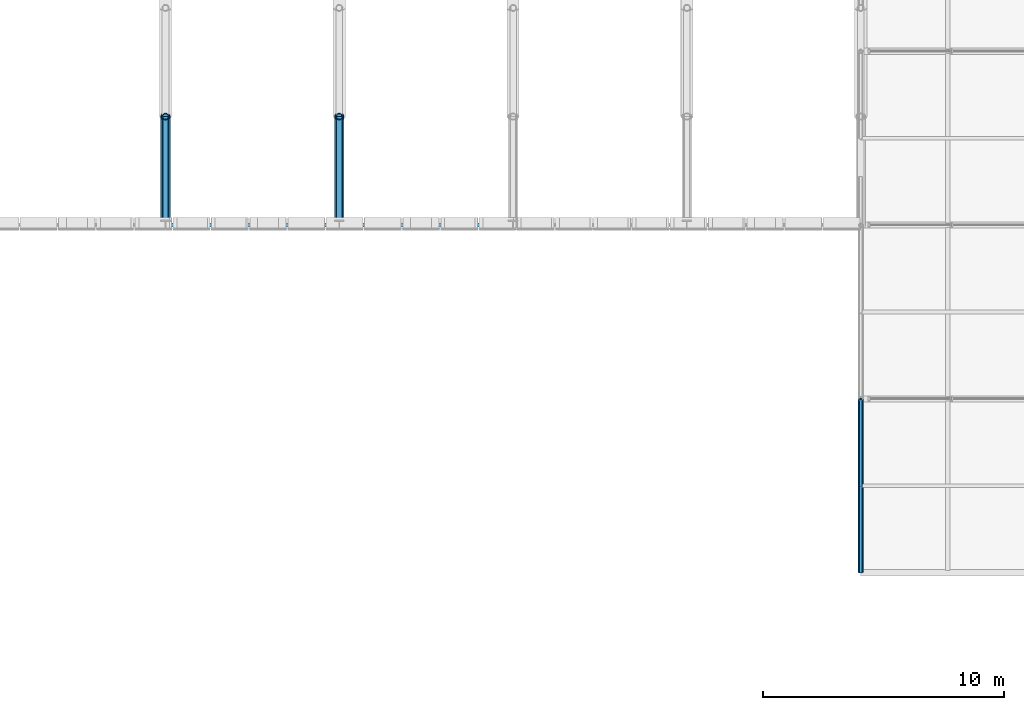
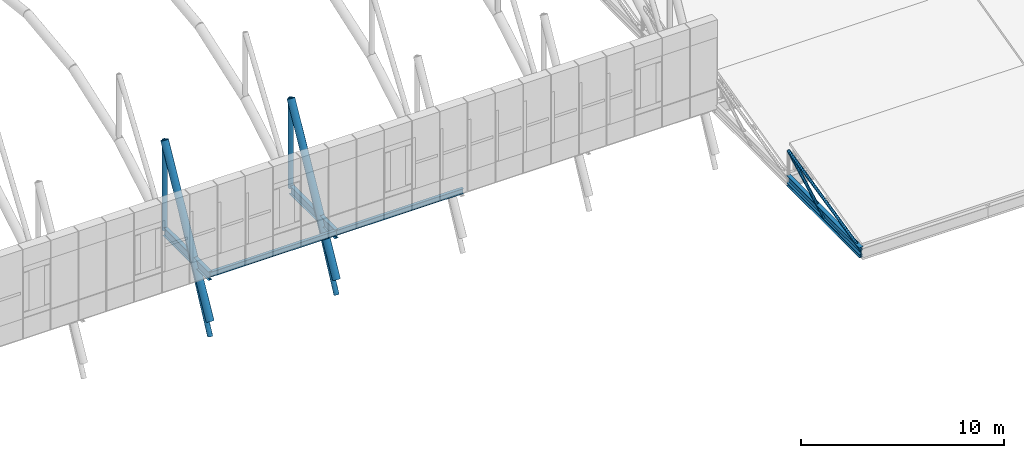
# One storey, part 25 of 144: 9 members, 5 beams.
"""IFC4 building model written with IfcOpenShell, lengths in metres."""

import ifcopenshell
import ifcopenshell.guid

model = None  # the IFC model being written
_history = None  # IfcOwnerHistory: only IFC2X3 demands one
_inside = {}  # id of a spatial element -> (the spatial element, [elements in it])
_under = {}  # id of a project, library or spatial element -> (it, [spatial elements below it])
_declared = {}  # id of a project -> (the project, [libraries it declares])
_typed = {}  # id of a type object -> (the type object, [elements of that type])
_made_of = {}  # id of a material, layer set ... -> (it, [elements and type objects made of it])


def new_model(schema):
    """Start an empty IFC model of exactly this schema.

    Asked for "IFC4X3", IfcOpenShell would pick the latest addendum, in which some entities
    have other attributes; the version numbers below select the first issue.
    IFC2X3 requires an IfcOwnerHistory on every rooted entity: one is made here for all.
    """
    global model, _history
    if schema == "IFC4X3":
        model = ifcopenshell.file(schema_version=(4, 3, 0, 0))
    else:
        model = ifcopenshell.file(schema=schema)
    _inside.clear()
    _under.clear()
    _declared.clear()
    _typed.clear()
    _made_of.clear()
    _history = None
    if model.schema == "IFC2X3":
        org = make("IfcOrganization", Name="unknown")
        user = make(
            "IfcPersonAndOrganization",
            ThePerson=make("IfcPerson", FamilyName="unknown"),
            TheOrganization=org,
        )
        app = make(
            "IfcApplication",
            ApplicationDeveloper=org,
            Version="unknown",
            ApplicationFullName="unknown",
            ApplicationIdentifier="unknown",
        )
        _history = make(
            "IfcOwnerHistory",
            OwningUser=user,
            OwningApplication=app,
            ChangeAction="ADDED",
            CreationDate=0,
        )
    return model


def make(cls, **values):
    """One entity of the class cls with the attributes given. An attribute that is None is left unset."""
    return model.create_entity(
        cls, **{name: value for name, value in values.items() if value is not None}
    )


def rooted(cls, **values):
    """An entity with a GlobalId (a new one), such as an element, a storey or a relation."""
    return make(cls, GlobalId=ifcopenshell.guid.new(), OwnerHistory=_history, **values)


def si_unit(unit_type, name, prefix=None):
    """IfcSIUnit, for example si_unit("LENGTHUNIT", "METRE", prefix="MILLI")."""
    return make("IfcSIUnit", UnitType=unit_type, Prefix=prefix, Name=name)


def assignment(units):
    """IfcUnitAssignment: the units of a project."""
    return None if units is None else make("IfcUnitAssignment", Units=units)


def point(xyz):
    """IfcCartesianPoint."""
    return None if xyz is None else make("IfcCartesianPoint", Coordinates=xyz)


def direction(xyz):
    """IfcDirection."""
    return None if xyz is None else make("IfcDirection", DirectionRatios=xyz)


def frame(location, z_axis=None, x_axis=None):
    """IfcAxis2Placement3D, a coordinate frame: its origin and axes. An axis left out is left unset."""
    return make(
        "IfcAxis2Placement3D",
        Location=point(location),
        Axis=direction(z_axis),
        RefDirection=direction(x_axis),
    )


def frame_2d(location, x_axis=None):
    """IfcAxis2Placement2D, a coordinate frame in the plane: its origin and x axis."""
    return make(
        "IfcAxis2Placement2D", Location=point(location), RefDirection=direction(x_axis)
    )


def origin():
    """The frame at (0, 0, 0) with its axes left unset."""
    return frame((0.0, 0.0, 0.0))


def origin_2d():
    """The frame at (0, 0) in the plane with its x axis left unset."""
    return frame_2d((0.0, 0.0))


def place(relative_to, where):
    """IfcLocalPlacement: puts the frame where relative to a parent placement (None: the world)."""
    return make(
        "IfcLocalPlacement", PlacementRelTo=relative_to, RelativePlacement=where
    )


def context(
    kind, dimensions, precision=None, world=None, true_north=None, identifier=None
):
    """IfcGeometricRepresentationContext, for example the 3D "Model" context."""
    return make(
        "IfcGeometricRepresentationContext",
        ContextIdentifier=identifier,
        ContextType=kind,
        CoordinateSpaceDimension=dimensions,
        Precision=precision,
        WorldCoordinateSystem=world,
        TrueNorth=true_north,
    )


def subcontext(parent, identifier, kind, view, scale=None):
    """IfcGeometricRepresentationSubContext, for example "Body" below "Model"."""
    return make(
        "IfcGeometricRepresentationSubContext",
        ContextIdentifier=identifier,
        ContextType=kind,
        ParentContext=parent,
        TargetScale=scale,
        TargetView=view,
    )


def project(units=None, contexts=None):
    """IfcProject with its units and contexts."""
    return rooted(
        "IfcProject",
        Name="project",
        RepresentationContexts=contexts,
        UnitsInContext=assignment(units),
    )


def spatial(cls, under=None, at=None, **own):
    """A site, building, storey or space (cls), placed at a placement, below another one or the project."""
    s = rooted(cls, ObjectPlacement=at, **own)
    if under is not None:
        _under.setdefault(under.id(), (under, []))[1].append(s)
    return s


def profile(cls, at=None, kind="AREA", **sizes):
    """A parametric profile (cls). Its sizes go by their IFC names, for example OverallWidth=200.0."""
    return make(cls, ProfileType=kind, Position=at, **sizes)


def hollow_circle(**sizes):
    """IfcCircleHollowProfileDef."""
    return profile("IfcCircleHollowProfileDef", **sizes)


def i_section(**sizes):
    """IfcIShapeProfileDef."""
    return profile("IfcIShapeProfileDef", **sizes)


def extrude(swept, where, along, depth):
    """IfcExtrudedAreaSolid: the profile swept, set in the frame where, extruded along a direction by depth."""
    return make(
        "IfcExtrudedAreaSolid",
        SweptArea=swept,
        Position=where,
        ExtrudedDirection=direction(along),
        Depth=depth,
    )


def shape(context_of_items, identifier, shape_type, items):
    """IfcShapeRepresentation: the items that make up one representation, for example the "Body"."""
    return make(
        "IfcShapeRepresentation",
        ContextOfItems=context_of_items,
        RepresentationIdentifier=identifier,
        RepresentationType=shape_type,
        Items=items,
    )


def material(Name=None, Category=None):
    """IfcMaterial."""
    return make("IfcMaterial", Name=Name, Category=Category)


def material_profile(
    of_material, cross_section, Name=None, Category=None, Priority=None
):
    """IfcMaterialProfile: a cross section and its material."""
    return make(
        "IfcMaterialProfile",
        Name=Name,
        Material=of_material,
        Profile=cross_section,
        Priority=Priority,
        Category=Category,
    )


def profile_set(profiles, Name=None, composite=None):
    """IfcMaterialProfileSet."""
    return make(
        "IfcMaterialProfileSet",
        Name=Name,
        MaterialProfiles=profiles,
        CompositeProfile=composite,
    )


def made_of(thing, what):
    """Note that an element or type object is made of a material, layer set ...; save() writes the relation."""
    if what is not None:
        _made_of.setdefault(what.id(), (what, []))[1].append(thing)
    return thing


def type_object(cls, material=None, **own):
    """A type object (cls), such as IfcWallType, which elements share."""
    return made_of(rooted(cls, **own), material)


def element(
    cls,
    number,
    at=None,
    inside=None,
    cuts=None,
    type_object=None,
    material=None,
    context=None,
    identifier="Body",
    shape_type=None,
    held_by="IfcProductDefinitionShape",
    body=None,
    shapes=None,
    **own,
):
    """One element of the class cls, such as IfcWall. Its Tag is "e" and its number.

    at: its placement. inside: the storey or other place that contains it. cuts: it is an
    opening in that element (IfcRelVoidsElement). A single representation is given by context,
    identifier, shape_type and body (its items); several are given by shapes. held_by: the class
    of the entity that holds the representations. save() writes the other relations.
    """
    e = rooted(cls, Tag="e%d" % number, ObjectPlacement=at, **own)
    if body is not None:
        shapes = [shape(context, identifier, shape_type, body)]
    if shapes is not None:
        e.Representation = make(held_by, Representations=shapes)
    if inside is not None:
        _inside.setdefault(inside.id(), (inside, []))[1].append(e)
    if cuts is not None:
        rooted(
            "IfcRelVoidsElement", RelatingBuildingElement=cuts, RelatedOpeningElement=e
        )
    if type_object is not None:
        _typed.setdefault(type_object.id(), (type_object, []))[1].append(e)
    return made_of(e, material)


def aggregate(whole, parts):
    """IfcRelAggregates: a whole, such as a stair, and the parts it consists of."""
    return rooted("IfcRelAggregates", RelatingObject=whole, RelatedObjects=parts)


def save(model, path):
    """Write the relations noted so far, then the file.

    IfcRelAggregates (storeys below a building ...), IfcRelContainedInSpatialStructure (elements
    in a storey), IfcRelDefinesByType, IfcRelAssociatesMaterial and IfcRelDeclares: one each for
    every whole, place, type object, material and project.
    """
    for whole, parts in _under.values():
        aggregate(whole, parts)
    for where, things in _inside.values():
        rooted(
            "IfcRelContainedInSpatialStructure",
            RelatedElements=things,
            RelatingStructure=where,
        )
    for kind, things in _typed.values():
        rooted("IfcRelDefinesByType", RelatedObjects=things, RelatingType=kind)
    for what, things in _made_of.values():
        rooted("IfcRelAssociatesMaterial", RelatedObjects=things, RelatingMaterial=what)
    for by, libraries in _declared.values():
        rooted("IfcRelDeclares", RelatingContext=by, RelatedDefinitions=libraries)
    model.write(path)


model = new_model("IFC4")

# Units and contexts
model_context = context("Model", 3, precision=1e-05, world=origin(), true_north=direction((0.0, 1.0)))
body_context = subcontext(model_context, "Body", "Model", "MODEL_VIEW")
ifc_project = project(units=[si_unit("LENGTHUNIT", "METRE"), si_unit("AREAUNIT", "SQUARE_METRE"), si_unit("VOLUMEUNIT", "CUBIC_METRE"), si_unit("PLANEANGLEUNIT", "RADIAN"), si_unit("MASSUNIT", "GRAM", prefix="KILO")], contexts=[model_context])

# Site, building, storey
site_placement = place(None, origin())
site = spatial("IfcSite", under=ifc_project, at=site_placement, CompositionType="ELEMENT")
building_placement = place(site_placement, origin())
building = spatial("IfcBuilding", under=site, at=building_placement, Name="Yarey Park Central Fire Station", CompositionType="ELEMENT")
storey_placement = place(building_placement, frame((0.0, 0.0, 10.199951171875)))
storey = spatial("IfcBuildingStorey", under=building, at=storey_placement, Name="L03", CompositionType="ELEMENT", Elevation=10.199951171875)

# Beams
ifc_material_1 = material(Name="Steel ASTM A992 Gr. 50", Category="steel")
ifc_material_profile_1 = material_profile(ifc_material_1, i_section(OverallWidth=0.208984375, OverallDepth=0.532958984375, WebThickness=0.01025390625, FlangeThickness=0.015625, at=origin_2d()), Name="W530x92")
ifc_profile_set_1 = profile_set([ifc_material_profile_1], Name="Steel ASTM A992 Gr. 50")
beam_type_1 = type_object("IfcBeamType", Name="STR_BM_W530", PredefinedType="BEAM", material=ifc_profile_set_1)
for number, where, z_axis, x_axis, name in (
    (1, (108.0, 57.60009765625, -0.54638671875), (0.0, 1.0, 0.0), (-1.0, 0.0, 0.0), "V2 BOX OUT S L03 108"),
    (2, (115.199951171875, 57.60009765625, -0.54638671875), (0.0, 1.0, 0.0), (-1.0, 0.0, 0.0), "V2 BOX OUT S L03 115"),
):
    element("IfcBeam", number, at=place(storey_placement, frame(where, z_axis=z_axis, x_axis=x_axis)), inside=storey, type_object=beam_type_1, Name=name, PredefinedType="BEAM", context=body_context, shape_type="SweptSolid", body=[
        extrude(i_section(OverallWidth=0.208984375, OverallDepth=0.532958984375, WebThickness=0.01025390625, FlangeThickness=0.015625, at=origin_2d()), origin(), (0.0, 0.0, 1.0), 4.5),
    ])
ifc_material_profile_2 = material_profile(ifc_material_1, i_section(OverallWidth=0.22900390625, OverallDepth=0.612060546875, WebThickness=0.011962890625, FlangeThickness=0.01953125, at=origin_2d()), Name="W610x125")
ifc_profile_set_2 = profile_set([ifc_material_profile_2], Name="Steel ASTM A992 Gr. 50")
beam_type_2 = type_object("IfcBeamType", Name="STR_BM_W610", PredefinedType="BEAM", material=ifc_profile_set_2)
beam_placement = place(storey_placement, frame((136.800048828125, 43.199951171875, -0.48583984375), z_axis=(0.0, 1.0, 0.0), x_axis=(-1.0, 0.0, 0.0)))
element("IfcBeam", 3, at=beam_placement, inside=storey, type_object=beam_type_2, Name="BMY L03 X1368 Y432", PredefinedType="BEAM", context=body_context, shape_type="SweptSolid", body=[
    extrude(i_section(OverallWidth=0.22900390625, OverallDepth=0.612060546875, WebThickness=0.011962890625, FlangeThickness=0.01953125, at=origin_2d()), origin(), (0.0, 0.0, 1.0), 7.199951171875),
])

# Members
ifc_material_2 = material(Name="Steel ASTM A500 Gr. C", Category="steel")
ifc_material_profile_3 = material_profile(ifc_material_2, hollow_circle(Radius=0.084228515625, WallThickness=0.008056640625, at=origin_2d()), Name="CHS 168.3x8")
ifc_profile_set_3 = profile_set([ifc_material_profile_3], Name="Steel ASTM A500 Gr. C")
member_type_1 = type_object("IfcMemberType", Name="STR_CHORD_CHS168", PredefinedType="CHORD", material=ifc_profile_set_3)
member_1_placement = place(storey_placement, frame((136.800048828125, 43.199951171875, -0.64990234375), z_axis=(0.0, 1.0, 0.0), x_axis=(-1.0, 0.0, 0.0)))
element("IfcMember", 4, at=member_1_placement, inside=storey, type_object=member_type_1, Name="SAW_T1_B1_BC", PredefinedType="CHORD", context=body_context, shape_type="SweptSolid", body=[
    extrude(hollow_circle(Radius=0.084228515625, WallThickness=0.008056640625, at=origin_2d()), origin(), (0.0, 0.0, 1.0), 7.199951171875),
])
member_2_placement = place(storey_placement, frame((136.800048828125, 43.199951171875, -0.349853515625), z_axis=(0.0, 0.975464150349, 0.220158332533), x_axis=(-1.0, 0.0, 0.0)))
element("IfcMember", 5, at=member_2_placement, inside=storey, type_object=member_type_1, Name="SAW_T1_B1_TC", PredefinedType="CHORD", context=body_context, shape_type="SweptSolid", body=[
    extrude(hollow_circle(Radius=0.084228515625, WallThickness=0.008056640625, at=origin_2d()), origin(), (0.0, 0.0, 1.0), 7.381103515625),
])
ifc_material_profile_4 = material_profile(ifc_material_2, hollow_circle(Radius=0.203125, WallThickness=0.01611328125, at=origin_2d()), Name="CHS 406.4x16")
ifc_profile_set_4 = profile_set([ifc_material_profile_4], Name="Steel ASTM A500 Gr. C")
member_type_2 = type_object("IfcMemberType", Name="STR_CHORD_CHS406", PredefinedType="CHORD", material=ifc_profile_set_4)
for number, where, z_axis, x_axis, name in (
    (6, (108.0, 57.60009765625, -3.280029296875), (0.0, 0.481210036658, 0.876605327738), (-1.0, 0.0, 0.0), "Arched Roof Truss ART_08 Top Chord 1"),
    (7, (115.199951171875, 57.60009765625, -3.280029296875), (0.0, 0.481210036658, 0.876605327738), (-1.0, 0.0, 0.0), "Arched Roof Truss ART_09 Top Chord 1"),
):
    element("IfcMember", number, at=place(storey_placement, frame(where, z_axis=z_axis, x_axis=x_axis)), inside=storey, type_object=member_type_2, Name=name, PredefinedType="CHORD", context=body_context, shape_type="SweptSolid", body=[
        extrude(hollow_circle(Radius=0.203125, WallThickness=0.01611328125, at=origin_2d()), origin(), (0.0, 0.0, 1.0), 9.351318359375),
    ])

# Beams
ifc_material_profile_5 = material_profile(ifc_material_1, i_section(OverallWidth=0.1650390625, OverallDepth=0.31005859375, WebThickness=0.005859375, FlangeThickness=0.009765625, at=origin_2d()), Name="W310x39")
ifc_profile_set_5 = profile_set([ifc_material_profile_5], Name="Steel ASTM A992 Gr. 50")
beam_type_3 = type_object("IfcBeamType", Name="STR_SPN_W310", PredefinedType="SPANDREL", material=ifc_profile_set_5)
for number, where, z_axis, x_axis, name in (
    (8, (108.0, 57.60009765625, -0.43505859375), (1.0, 0.0, 0.0), (0.0, 1.0, 0.0), "V2 BOX GIRT S B1 08"),
    (9, (115.199951171875, 57.60009765625, -0.43505859375), (1.0, 0.0, 0.0), (0.0, 1.0, 0.0), "V2 BOX GIRT S B1 09"),
):
    element("IfcBeam", number, at=place(storey_placement, frame(where, z_axis=z_axis, x_axis=x_axis)), inside=storey, type_object=beam_type_3, Name=name, PredefinedType="SPANDREL", context=body_context, shape_type="SweptSolid", body=[
        extrude(i_section(OverallWidth=0.1650390625, OverallDepth=0.31005859375, WebThickness=0.005859375, FlangeThickness=0.009765625, at=origin_2d()), origin(), (0.0, 0.0, 1.0), 7.199951171875),
    ])

# Members
ifc_material_profile_6 = material_profile(ifc_material_2, hollow_circle(Radius=0.084228515625, WallThickness=0.008056640625, at=origin_2d()), Name="CHS 168.3x8")
ifc_profile_set_6 = profile_set([ifc_material_profile_6], Name="Steel ASTM A500 Gr. C")
member_type_3 = type_object("IfcMemberType", Name="STR_WEB_CHS168", PredefinedType="BRACE", material=ifc_profile_set_6)
member_3_placement = place(storey_placement, frame((136.800048828125, 46.800048828125, -0.64990234375), z_axis=(0.0, 0.8818309127, 0.471565733919), x_axis=(-1.0, 0.0, 0.0)))
element("IfcMember", 10, at=member_3_placement, inside=storey, type_object=member_type_3, Name="SAW_T1_B1_DG", PredefinedType="BRACE", context=body_context, shape_type="SweptSolid", body=[
    extrude(hollow_circle(Radius=0.084228515625, WallThickness=0.008056640625, at=origin_2d()), origin(), (0.0, 0.0, 1.0), 4.082275390625),
])
ifc_material_profile_7 = material_profile(ifc_material_2, hollow_circle(Radius=0.136474609375, WallThickness=0.012451171875, at=origin_2d()), Name="CHS 273x12.5")
ifc_profile_set_7 = profile_set([ifc_material_profile_7], Name="Steel ASTM A500 Gr. C")
member_type_4 = type_object("IfcMemberType", Name="STR_WEB_CHS273", PredefinedType="BRACE", material=ifc_profile_set_7)
member_4_placement = place(storey_placement, frame((108.0, 57.60009765625, -4.199951171875), z_axis=(0.0, 0.442587736107, 0.89672520643), x_axis=(-1.0, 0.0, 0.0)))
element("IfcMember", 11, at=member_4_placement, inside=storey, type_object=member_type_4, Name="Arched Roof Truss ART_08 Diagonal 1", PredefinedType="BRACE", context=body_context, shape_type="SweptSolid", body=[
    extrude(hollow_circle(Radius=0.136474609375, WallThickness=0.012451171875, at=origin_2d()), origin(), (0.0, 0.0, 1.0), 10.16748046875),
])
member_5_placement = place(storey_placement, frame((108.0, 62.10009765625, -0.481201171875), z_axis=(0.0, 0.0, 1.0), x_axis=(1.0, 0.0, 0.0)))
element("IfcMember", 12, at=member_5_placement, inside=storey, type_object=member_type_4, Name="Arched Roof Truss ART_08 Vertical 2", PredefinedType="BRACE", context=body_context, shape_type="SweptSolid", body=[
    extrude(hollow_circle(Radius=0.136474609375, WallThickness=0.012451171875, at=origin_2d()), origin(), (0.0, 0.0, 1.0), 5.398681640625),
])
member_6_placement = place(storey_placement, frame((115.199951171875, 57.60009765625, -4.199951171875), z_axis=(0.0, 0.442587736107, 0.89672520643), x_axis=(-1.0, 0.0, 0.0)))
element("IfcMember", 13, at=member_6_placement, inside=storey, type_object=member_type_4, Name="Arched Roof Truss ART_09 Diagonal 1", PredefinedType="BRACE", context=body_context, shape_type="SweptSolid", body=[
    extrude(hollow_circle(Radius=0.136474609375, WallThickness=0.012451171875, at=origin_2d()), origin(), (0.0, 0.0, 1.0), 10.16748046875),
])
member_7_placement = place(storey_placement, frame((115.199951171875, 62.10009765625, -0.481201171875), z_axis=(0.0, 0.0, 1.0), x_axis=(1.0, 0.0, 0.0)))
element("IfcMember", 14, at=member_7_placement, inside=storey, type_object=member_type_4, Name="Arched Roof Truss ART_09 Vertical 2", PredefinedType="BRACE", context=body_context, shape_type="SweptSolid", body=[
    extrude(hollow_circle(Radius=0.136474609375, WallThickness=0.012451171875, at=origin_2d()), origin(), (0.0, 0.0, 1.0), 5.398681640625),
])

save(model, "model.ifc")
